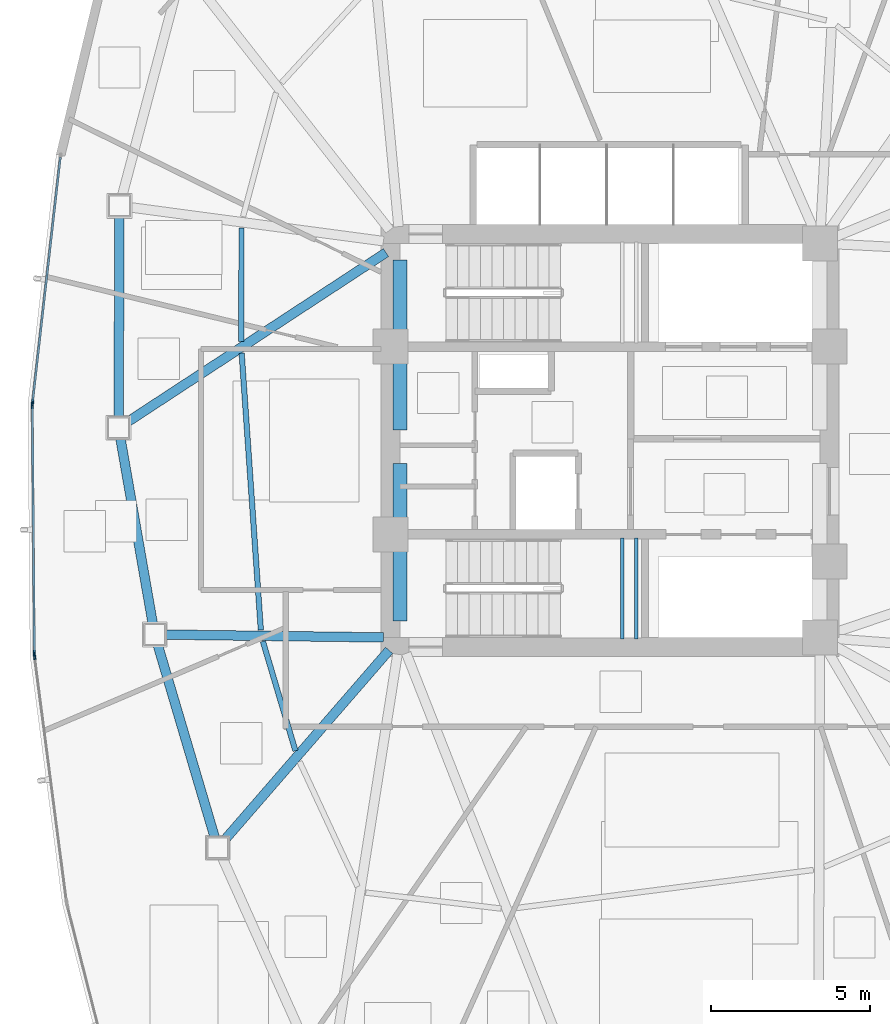
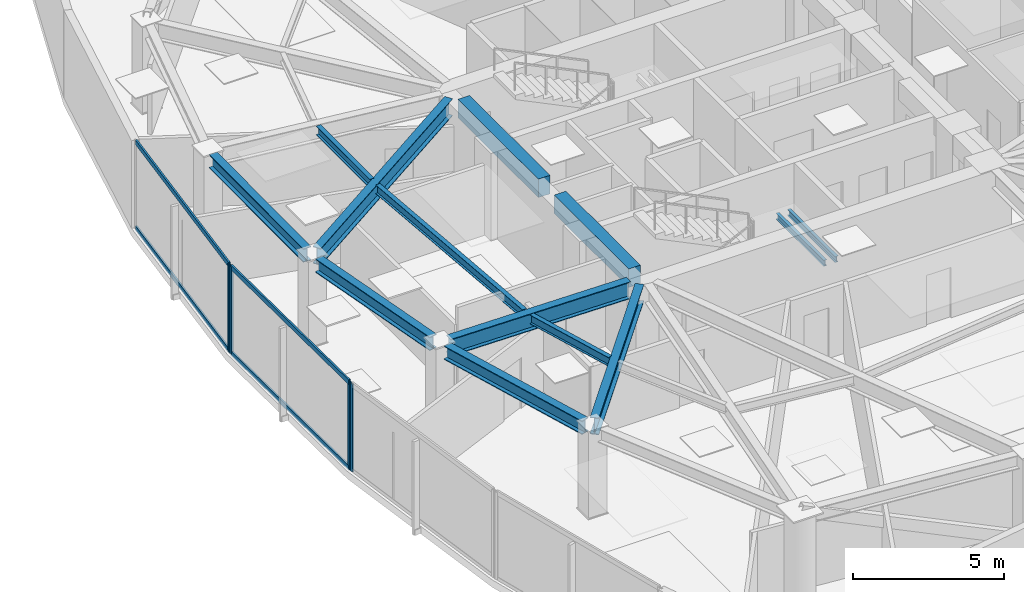
# One storey, part 4 of 18: 13 beams, 8 members, 3 elements without a shape of their own.
"""IFC4 building model written with IfcOpenShell, lengths in metres."""

from ifc_helpers import new_model, si_unit, direction, frame, origin, origin_2d, place, context, subcontext, project, spatial, rectangle, hollow_rectangle, i_section, extrude, source, transform, mapped, material, layer, layer_set, material_profile, profile_set, type_object, type_shapes, element, aggregate, save


model = new_model("IFC4")

# Units and contexts
model_context = context("Model", 3, precision=1e-05, world=origin(), true_north=direction((0.0, 1.0)))
body_context = subcontext(model_context, "Body", "Model", "MODEL_VIEW")
ifc_project = project(units=[si_unit("LENGTHUNIT", "METRE"), si_unit("AREAUNIT", "SQUARE_METRE"), si_unit("VOLUMEUNIT", "CUBIC_METRE"), si_unit("PLANEANGLEUNIT", "RADIAN"), si_unit("MASSUNIT", "GRAM", prefix="KILO")], contexts=[model_context])

# Site, building, storey
site_placement = place(None, origin())
site = spatial("IfcSite", under=ifc_project, at=site_placement, CompositionType="ELEMENT")
building_placement = place(site_placement, origin())
building = spatial("IfcBuilding", under=site, at=building_placement, Name="Tavelor Broadcast Tower", CompositionType="ELEMENT")
storey_placement = place(building_placement, frame((0.0, 0.0, 146.39990234375)))
storey = spatial("IfcBuildingStorey", under=building, at=storey_placement, Name="L34", CompositionType="ELEMENT", Elevation=146.39990234375)

# Beams
ifc_material_1 = material(Name="Concrete C40/50", Category="concrete")
ifc_material_profile_1 = material_profile(ifc_material_1, rectangle(XDim=0.449951171875, YDim=0.75, at=origin_2d()), Name="RC 450x750")
ifc_profile_set_1 = profile_set([ifc_material_profile_1], Name="Concrete C40/50")
beam_type_1 = type_object("IfcBeamType", Name="Basement Core Trim Beam 450x750", PredefinedType="BEAM", material=ifc_profile_set_1)
beam_1_placement = place(storey_placement, frame((43.39990234375, 45.327880859375, 3.175048828125), z_axis=(0.0, 1.0, 0.0), x_axis=(-1.0, 0.0, 0.0)))
element("IfcBeam", 1, at=beam_1_placement, inside=storey, type_object=beam_type_1, Name="L34 Core West-N Tie Girder", PredefinedType="BEAM", context=body_context, shape_type="SweptSolid", body=[
    extrude(rectangle(XDim=0.449951171875, YDim=0.75, at=origin_2d()), origin(), (0.0, 0.0, 1.0), 5.34423828125),
])
beam_2_placement = place(storey_placement, frame((43.39990234375, 39.327880859375, 3.175048828125), z_axis=(0.0, 1.0, 0.0), x_axis=(-1.0, 0.0, 0.0)))
element("IfcBeam", 2, at=beam_2_placement, inside=storey, type_object=beam_type_1, Name="L34 Core West-S Tie Girder", PredefinedType="BEAM", context=body_context, shape_type="SweptSolid", body=[
    extrude(rectangle(XDim=0.449951171875, YDim=0.75, at=origin_2d()), origin(), (0.0, 0.0, 1.0), 4.944091796875),
])
ifc_material_2 = material(Name="Steel S355", Category="steel")
ifc_material_profile_2 = material_profile(ifc_material_2, i_section(OverallWidth=0.169921875, OverallDepth=0.360107421875, WebThickness=0.008056640625, FlangeThickness=0.0126953125, at=origin_2d()), Name="IPE 360")
ifc_profile_set_2 = profile_set([ifc_material_profile_2], Name="Steel S355")
beam_type_2 = type_object("IfcBeamType", Name="Composite Floor Joist T3 IPE 360", PredefinedType="JOIST", material=ifc_profile_set_2)
beam_3_placement = place(storey_placement, frame((38.413818359375, 51.685302734375, 3.3701171875), z_axis=(-0.002320654457, -0.999997307278, 0.0), x_axis=(0.999997307278, -0.002320654457, 0.0)))
element("IfcBeam", 3, at=beam_3_placement, inside=storey, type_object=beam_type_2, Name="L34 Secondary Composite Floor Joist 03", PredefinedType="JOIST", context=body_context, shape_type="SweptSolid", body=[
    extrude(i_section(OverallWidth=0.169921875, OverallDepth=0.360107421875, WebThickness=0.008056640625, FlangeThickness=0.0126953125, at=origin_2d()), origin(), (0.0, 0.0, 1.0), 3.576904296875),
])
beam_4_placement = place(storey_placement, frame((38.41748046875, 47.74658203125, 3.3701171875), z_axis=(0.069100565304, -0.997609699168, 0.0), x_axis=(0.997609699168, 0.069100565304, 0.0)))
element("IfcBeam", 4, at=beam_4_placement, inside=storey, type_object=beam_type_2, Name="L34 Secondary Composite Floor Joist 04", PredefinedType="JOIST", context=body_context, shape_type="SweptSolid", body=[
    extrude(i_section(OverallWidth=0.169921875, OverallDepth=0.360107421875, WebThickness=0.008056640625, FlangeThickness=0.0126953125, at=origin_2d()), origin(), (0.0, 0.0, 1.0), 8.730224609375),
])
beam_5_placement = place(storey_placement, frame((39.084716796875, 38.68310546875, 3.3701171875), z_axis=(0.285203072184, -0.958467113477, 0.0), x_axis=(0.958467113477, 0.285203072184, 0.0)))
element("IfcBeam", 5, at=beam_5_placement, inside=storey, type_object=beam_type_2, Name="L34 Secondary Composite Floor Joist 05", PredefinedType="JOIST", context=body_context, shape_type="SweptSolid", body=[
    extrude(i_section(OverallWidth=0.169921875, OverallDepth=0.360107421875, WebThickness=0.008056640625, FlangeThickness=0.0126953125, at=origin_2d()), origin(), (0.0, 0.0, 1.0), 3.593505859375),
])
ifc_material_profile_3 = material_profile(ifc_material_2, i_section(OverallWidth=0.300048828125, OverallDepth=0.550048828125, WebThickness=0.014892578125, FlangeThickness=0.029052734375, at=origin_2d()), Name="HEB 550")
ifc_profile_set_3 = profile_set([ifc_material_profile_3], Name="Steel S355")
beam_type_3 = type_object("IfcBeamType", Name="Perimeter Spandrel Beam T3 HEB 550", PredefinedType="SPANDREL", material=ifc_profile_set_3)
beam_6_placement = place(storey_placement, frame((34.57373046875, 52.043212890625, 3.275146484375), z_axis=(-0.00410245019, -0.999991584916, 0.0), x_axis=(0.999991584916, -0.00410245019, 0.0)))
element("IfcBeam", 6, at=beam_6_placement, inside=storey, type_object=beam_type_3, Name="L34 Framed-Tube Ring Spandrel 03", PredefinedType="SPANDREL", context=body_context, shape_type="SweptSolid", body=[
    extrude(i_section(OverallWidth=0.300048828125, OverallDepth=0.550048828125, WebThickness=0.014892578125, FlangeThickness=0.029052734375, at=origin_2d()), origin(), (0.0, 0.0, 1.0), 6.30810546875),
])
beam_7_placement = place(storey_placement, frame((34.604248046875, 45.068115234375, 3.275146484375), z_axis=(0.17197754126, -0.985100870623, 0.0), x_axis=(0.985100870623, 0.17197754126, 0.0)))
element("IfcBeam", 7, at=beam_7_placement, inside=storey, type_object=beam_type_3, Name="L34 Framed-Tube Ring Spandrel 04", PredefinedType="SPANDREL", context=body_context, shape_type="SweptSolid", body=[
    extrude(i_section(OverallWidth=0.300048828125, OverallDepth=0.550048828125, WebThickness=0.014892578125, FlangeThickness=0.029052734375, at=origin_2d()), origin(), (0.0, 0.0, 1.0), 5.925537109375),
])
beam_8_placement = place(storey_placement, frame((35.7763671875, 38.57763671875, 3.275146484375), z_axis=(0.283996338182, -0.958825364652, 0.0), x_axis=(0.958825364652, 0.283996338182, 0.0)))
element("IfcBeam", 8, at=beam_8_placement, inside=storey, type_object=beam_type_3, Name="L34 Framed-Tube Ring Spandrel 05", PredefinedType="SPANDREL", context=body_context, shape_type="SweptSolid", body=[
    extrude(i_section(OverallWidth=0.300048828125, OverallDepth=0.550048828125, WebThickness=0.014892578125, FlangeThickness=0.029052734375, at=origin_2d()), origin(), (0.0, 0.0, 1.0), 6.325439453125),
])
ifc_material_profile_4 = material_profile(ifc_material_2, i_section(OverallWidth=0.300048828125, OverallDepth=0.68994140625, WebThickness=0.014404296875, FlangeThickness=0.027099609375, at=origin_2d()), Name="HEA 700")
ifc_profile_set_4 = profile_set([ifc_material_profile_4], Name="Steel S355")
beam_type_4 = type_object("IfcBeamType", Name="Radial Floor Girder T3 HEA 700", PredefinedType="BEAM", material=ifc_profile_set_4)
beam_9_placement = place(storey_placement, frame((42.95849609375, 50.91064453125, 3.205078125), z_axis=(-0.836455571638, -0.548034740391, 0.0), x_axis=(0.548034740391, -0.836455571638, 0.0)))
element("IfcBeam", 9, at=beam_9_placement, inside=storey, type_object=beam_type_4, Name="L34 Radial Primary Floor Girder 04", PredefinedType="BEAM", context=body_context, shape_type="SweptSolid", body=[
    extrude(i_section(OverallWidth=0.300048828125, OverallDepth=0.68994140625, WebThickness=0.014404296875, FlangeThickness=0.027099609375, at=origin_2d()), origin(), (0.0, 0.0, 1.0), 9.720947265625),
])
beam_10_placement = place(storey_placement, frame((42.8720703125, 38.806884765625, 3.205078125), z_axis=(-0.999916440376, 0.012927190963, 0.0), x_axis=(-0.012927190963, -0.999916440376, 0.0)))
element("IfcBeam", 10, at=beam_10_placement, inside=storey, type_object=beam_type_4, Name="L34 Radial Primary Floor Girder 05", PredefinedType="BEAM", context=body_context, shape_type="SweptSolid", body=[
    extrude(i_section(OverallWidth=0.300048828125, OverallDepth=0.68994140625, WebThickness=0.014404296875, FlangeThickness=0.027099609375, at=origin_2d()), origin(), (0.0, 0.0, 1.0), 6.85546875),
])
beam_11_placement = place(storey_placement, frame((43.05419921875, 38.401123046875, 3.205078125), z_axis=(-0.655166261537, -0.755484725024, 0.0), x_axis=(0.755484725024, -0.655166261537, 0.0)))
element("IfcBeam", 11, at=beam_11_placement, inside=storey, type_object=beam_type_4, Name="L34 Radial Primary Floor Girder 06", PredefinedType="BEAM", context=body_context, shape_type="SweptSolid", body=[
    extrude(i_section(OverallWidth=0.300048828125, OverallDepth=0.68994140625, WebThickness=0.014404296875, FlangeThickness=0.027099609375, at=origin_2d()), origin(), (0.0, 0.0, 1.0), 7.885009765625),
])
ifc_material_profile_5 = material_profile(ifc_material_2, i_section(OverallWidth=0.1201171875, OverallDepth=0.239990234375, WebThickness=0.006103515625, FlangeThickness=0.009765625, at=origin_2d()), Name="IPE 240")
ifc_profile_set_5 = profile_set([ifc_material_profile_5], Name="Steel S355")
beam_type_5 = type_object("IfcBeamType", Name="Stairwell Landing Support Trimmer Beam IPE240", PredefinedType="BEAM", material=ifc_profile_set_5)
for number, where, z_axis, x_axis, name in (
    (12, (50.385009765625, 38.760009765625, 1.610107421875), (0.0, 1.0, 0.0), (-1.0, 0.0, 0.0), "L34 Stair Landing Support Beam 315"),
    (13, (50.824951171875, 38.760009765625, 1.610107421875), (0.0, 1.0, 0.0), (-1.0, 0.0, 0.0), "L34 Stair Landing Support Beam 316"),
):
    element("IfcBeam", number, at=place(storey_placement, frame(where, z_axis=z_axis, x_axis=x_axis)), inside=storey, type_object=beam_type_5, Name=name, PredefinedType="BEAM", context=body_context, shape_type="SweptSolid", body=[
        extrude(i_section(OverallWidth=0.1201171875, OverallDepth=0.239990234375, WebThickness=0.006103515625, FlangeThickness=0.009765625, at=origin_2d()), origin(), (0.0, 0.0, 1.0), 3.179931640625),
    ])

# Curtain wall, member
ifc_material_3 = material(Name="Architectural Anodized Aluminium", Category="aluminium")
ifc_layer = layer(ifc_material_3, 0.18994140625)
ifc_layer_set = layer_set([ifc_layer], Name="Architectural Anodized Aluminium")
curtain_wall_type = type_object("IfcCurtainWallType", Name="Tower Mid-Zone Acoustic Curtain Wall CW03", PredefinedType="NOTDEFINED", material=ifc_layer_set)
curtain_wall_1_placement = place(storey_placement, origin())
curtain_wall_1 = element("IfcCurtainWall", 14, at=curtain_wall_1_placement, inside=storey, type_object=curtain_wall_type, Name="L34 Curtain Wall CW03 Run 349", PredefinedType="NOTDEFINED")
ifc_material_profile_6 = material_profile(ifc_material_3, hollow_rectangle(XDim=0.068115234375, YDim=0.18994140625, WallThickness=0.02197265625, at=origin_2d()), Name="RHS 68x190x22")
ifc_profile_set_6 = profile_set([ifc_material_profile_6], Name="Architectural Anodized Aluminium")
member_type_1 = type_object("IfcMemberType", Name="CW03 Extruded Aluminium Mullion 68x190", PredefinedType="MULLION", material=ifc_profile_set_6)
shared_shape_1 = source(origin(), body_context, "Body", "SweptSolid", [
    extrude(hollow_rectangle(XDim=0.068115234375, YDim=0.18994140625, WallThickness=0.02197265625, at=origin_2d()), origin(), (0.0, 0.0, 1.0), 3.550048828125),
])
type_shapes(member_type_1, [shared_shape_1])
member_1_placement = place(storey_placement, frame((31.83935546875, 46.189453125, 0.0), z_axis=(0.0, 0.0, 1.0), x_axis=(0.993621604706, -0.112765715809, 0.0)))
member_1 = element("IfcMember", 15, at=member_1_placement, type_object=member_type_1, Name="CW03 mullion 2", PredefinedType="MULLION", context=body_context, shape_type="MappedRepresentation", body=[
    mapped(shared_shape_1, transform((0.0, 0.0, 0.0), scale=1.0)),
])

# Curtain wall, members
curtain_wall_2_placement = place(storey_placement, origin())
curtain_wall_2 = element("IfcCurtainWall", 16, at=curtain_wall_2_placement, inside=storey, type_object=curtain_wall_type, Name="L34 Curtain Wall CW03 Run 350", PredefinedType="NOTDEFINED")
member_2_placement = place(storey_placement, frame((31.834228515625, 46.091796875, 0.0), z_axis=(0.0, 0.0, 1.0), x_axis=(0.999965553959, 0.008300053994, 0.0)))
member_2 = element("IfcMember", 17, at=member_2_placement, type_object=member_type_1, Name="CW03 mullion 1", PredefinedType="MULLION", context=body_context, shape_type="MappedRepresentation", body=[
    mapped(shared_shape_1, transform((0.0, 0.0, 0.0), scale=1.0)),
])
member_3_placement = place(storey_placement, frame((31.89892578125, 38.3046875, 0.0), z_axis=(0.0, 0.0, 1.0), x_axis=(0.999965553959, 0.008300053994, 0.0)))
member_3 = element("IfcMember", 18, at=member_3_placement, type_object=member_type_1, Name="CW03 mullion 2", PredefinedType="MULLION", context=body_context, shape_type="MappedRepresentation", body=[
    mapped(shared_shape_1, transform((0.0, 0.0, 0.0), scale=1.0)),
])

# Curtain wall, member
curtain_wall_3_placement = place(storey_placement, origin())
curtain_wall_3 = element("IfcCurtainWall", 19, at=curtain_wall_3_placement, inside=storey, type_object=curtain_wall_type, Name="L34 Curtain Wall CW03 Run 351", PredefinedType="NOTDEFINED")
member_4_placement = place(storey_placement, frame((31.905517578125, 38.20703125, 0.0), z_axis=(0.0, 0.0, 1.0), x_axis=(0.991613822182, 0.129236324835, 0.0)))
member_4 = element("IfcMember", 20, at=member_4_placement, type_object=member_type_1, Name="CW03 mullion 1", PredefinedType="MULLION", context=body_context, shape_type="MappedRepresentation", body=[
    mapped(shared_shape_1, transform((0.0, 0.0, 0.0), scale=1.0)),
])
aggregate(curtain_wall_3, [member_4])

# Member
ifc_material_profile_7 = material_profile(ifc_material_3, hollow_rectangle(XDim=0.068115234375, YDim=0.18994140625, WallThickness=0.02197265625, at=origin_2d()), Name="RHS 68x190x22")
ifc_profile_set_7 = profile_set([ifc_material_profile_7], Name="Architectural Anodized Aluminium")
member_type_2 = type_object("IfcMemberType", Name="CW03 Extruded Aluminium Transom 68x190", PredefinedType="USERDEFINED", material=ifc_profile_set_7)
shared_shape_2 = source(origin(), body_context, "Body", "SweptSolid", [
    extrude(hollow_rectangle(XDim=0.068115234375, YDim=0.18994140625, WallThickness=0.02197265625, at=origin_2d()), origin(), (0.0, 0.0, 1.0), 7.734375),
])
member_5_placement = place(storey_placement, frame((32.71533203125, 53.908203125, 0.0341796875), z_axis=(-0.112752454026, -0.993623109691, 0.0), x_axis=(0.993623109691, -0.112752454026, 0.0)))
member_5 = element("IfcMember", 21, at=member_5_placement, type_object=member_type_2, Name="CW03 transom 1.1", ObjectType="TRANSOM", PredefinedType="USERDEFINED", context=body_context, shape_type="MappedRepresentation", body=[
    mapped(shared_shape_2, transform((0.0, 0.0, 0.0), scale=1.0)),
])

member_6_placement = place(storey_placement, frame((32.71533203125, 53.908203125, 3.51611328125), z_axis=(-0.112752454026, -0.993623109691, 0.0), x_axis=(0.993623109691, -0.112752454026, 0.0)))
member_6 = element("IfcMember", 22, at=member_6_placement, type_object=member_type_2, Name="CW03 transom 1.2", ObjectType="TRANSOM", PredefinedType="USERDEFINED", context=body_context, shape_type="MappedRepresentation", body=[
    mapped(shared_shape_2, transform((0.0, 0.0, 0.0), scale=1.0)),
])

aggregate(curtain_wall_1, [member_1, member_5, member_6])

shared_shape_3 = source(origin(), body_context, "Body", "SweptSolid", [
    extrude(hollow_rectangle(XDim=0.068115234375, YDim=0.18994140625, WallThickness=0.02197265625, at=origin_2d()), origin(), (0.0, 0.0, 1.0), 7.719482421875),
])
type_shapes(member_type_2, [shared_shape_2, shared_shape_3])
member_7_placement = place(storey_placement, frame((31.83447265625, 46.057861328125, 0.0341796875), z_axis=(0.008286134651, -0.999965669397, 0.0), x_axis=(0.999965669397, 0.008286134651, 0.0)))
member_7 = element("IfcMember", 23, at=member_7_placement, type_object=member_type_2, Name="CW03 transom 1.1", ObjectType="TRANSOM", PredefinedType="USERDEFINED", context=body_context, shape_type="MappedRepresentation", body=[
    mapped(shared_shape_3, transform((0.0, 0.0, 0.0), scale=1.0)),
])

member_8_placement = place(storey_placement, frame((31.83447265625, 46.057861328125, 3.51611328125), z_axis=(0.008286134651, -0.999965669397, 0.0), x_axis=(0.999965669397, 0.008286134651, 0.0)))
member_8 = element("IfcMember", 24, at=member_8_placement, type_object=member_type_2, Name="CW03 transom 1.2", ObjectType="TRANSOM", PredefinedType="USERDEFINED", context=body_context, shape_type="MappedRepresentation", body=[
    mapped(shared_shape_3, transform((0.0, 0.0, 0.0), scale=1.0)),
])

aggregate(curtain_wall_2, [member_2, member_3, member_7, member_8])

save(model, "model.ifc")
